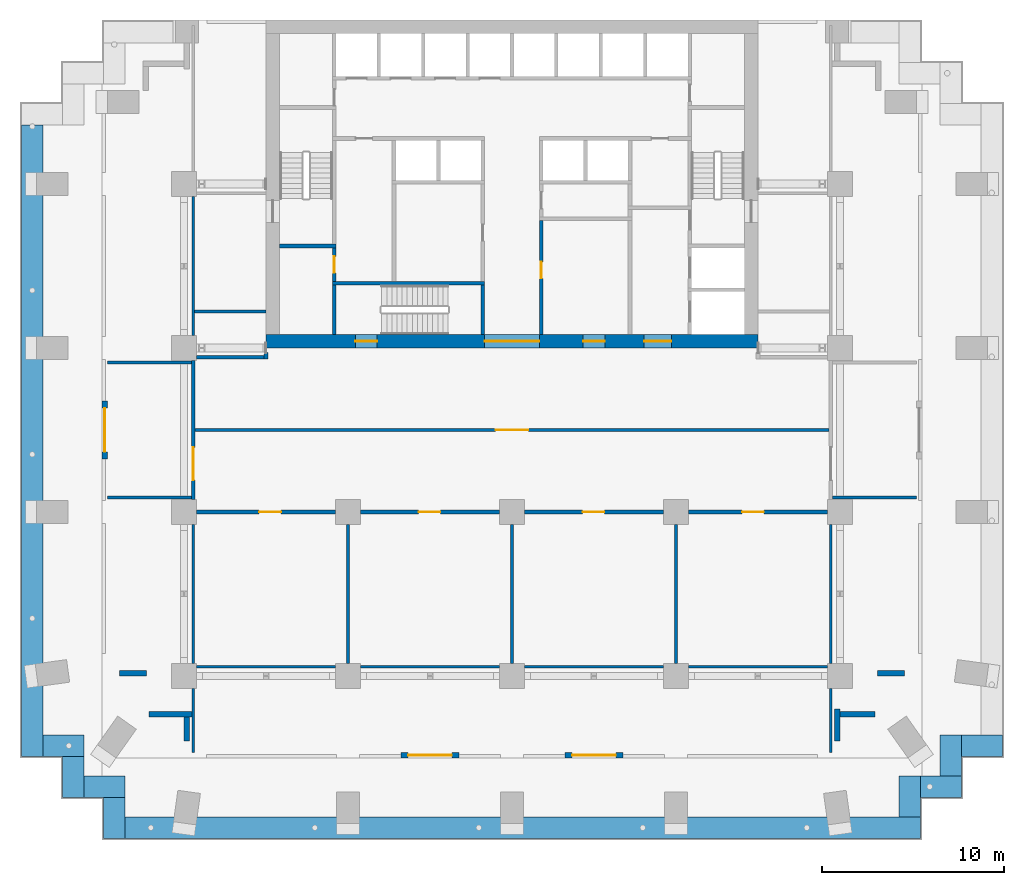
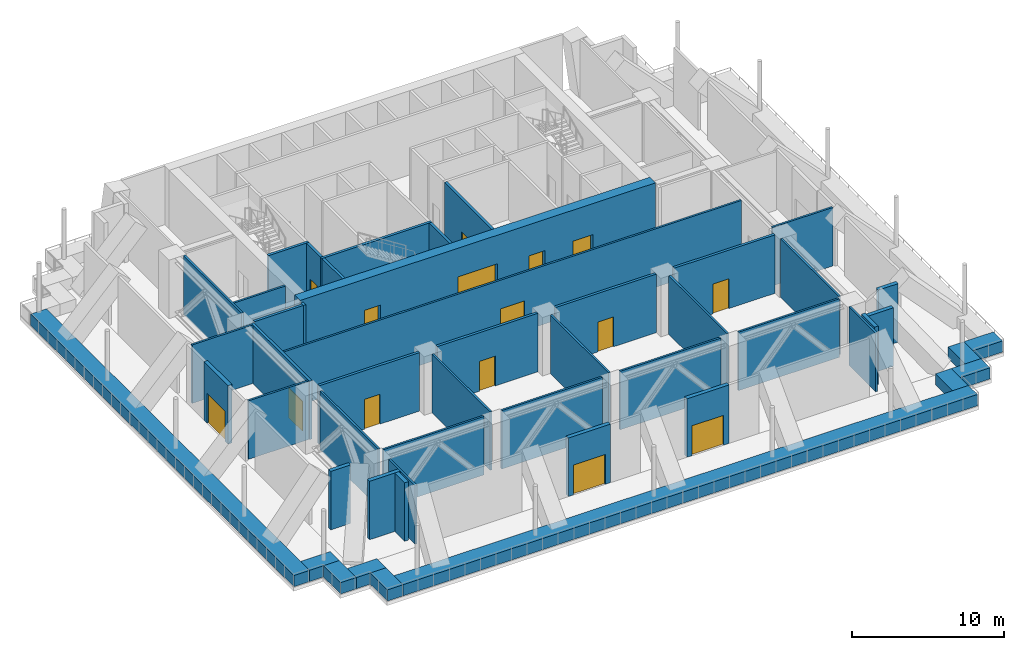
# One storey, part 3 of 9: 50 walls, 15 doors, 15 openings.
"""IFC4 building model written with IfcOpenShell, lengths in metres."""

from ifc_helpers import new_model, si_unit, direction, frame, frame_2d, origin, place, context, subcontext, project, spatial, rectangle, extrude, material, layer, layer_set, type_object, element, fill, save


model = new_model("IFC4")

# Units and contexts
model_context = context("Model", 3, precision=1e-05, world=origin(), true_north=direction((0.0, 1.0)))
body_context = subcontext(model_context, "Body", "Model", "MODEL_VIEW")
ifc_project = project(units=[si_unit("LENGTHUNIT", "METRE"), si_unit("AREAUNIT", "SQUARE_METRE"), si_unit("VOLUMEUNIT", "CUBIC_METRE"), si_unit("PLANEANGLEUNIT", "RADIAN"), si_unit("MASSUNIT", "GRAM", prefix="KILO")], contexts=[model_context])

# Site, building, storey
site_placement = place(None, origin())
site = spatial("IfcSite", under=ifc_project, at=site_placement, CompositionType="ELEMENT")
building_placement = place(site_placement, origin())
building = spatial("IfcBuilding", under=site, at=building_placement, Name="Orbiselva Terraces", CompositionType="ELEMENT")
storey_placement = place(building_placement, frame((0.0, 0.0, 115.0)))
storey = spatial("IfcBuildingStorey", under=building, at=storey_placement, Name="L29", CompositionType="ELEMENT", Elevation=115.0)

# Wall, openings, doors
ifc_material_1 = material(Name="Concrete C80/95", Category="concrete")
ifc_layer_1 = layer(ifc_material_1, 0.75)
ifc_layer_set_1 = layer_set([ifc_layer_1], Name="Concrete C80/95")
wall_type_1 = type_object("IfcWallType", Name="CORE WALL 750", PredefinedType="SHEAR", material=ifc_layer_set_1)
wall_1_placement = place(storey_placement, frame((-13.5, 4.875, -0.3), z_axis=(0.0, 0.0, 1.0), x_axis=(1.0, 0.0, 0.0)))
wall_1 = element("IfcWall", 1, at=wall_1_placement, inside=storey, type_object=wall_type_1, Name="Core wall L29 south", PredefinedType="SHEAR", context=body_context, shape_type="SweptSolid", body=[
    extrude(rectangle(XDim=27.0, YDim=0.75, at=frame_2d((13.5, 0.0))), origin(), (0.0, 0.0, 1.0), 5.0),
])
opening_1_placement = place(wall_1_placement, frame((12.0, 0.0, 0.3)))
opening_1 = element("IfcOpeningElement", 2, at=opening_1_placement, cuts=wall_1, Name="Opening DL3000", PredefinedType="OPENING", context=body_context, shape_type="SweptSolid", body=[
    extrude(rectangle(XDim=3.0, YDim=2.4, at=frame_2d((1.5, 1.2))), frame((0.0, 0.385, 0.0), z_axis=(0.0, -1.0, 0.0), x_axis=(1.0, 0.0, 0.0)), (0.0, 0.0, 1.0), 0.77),
])
opening_2_placement = place(wall_1_placement, frame((4.9, 0.0, 0.3)))
opening_2 = element("IfcOpeningElement", 3, at=opening_2_placement, cuts=wall_1, Name="Opening DS1200", PredefinedType="OPENING", context=body_context, shape_type="SweptSolid", body=[
    extrude(rectangle(XDim=1.2, YDim=2.2, at=frame_2d((0.6, 1.1))), frame((0.0, 0.385, 0.0), z_axis=(0.0, -1.0, 0.0), x_axis=(1.0, 0.0, 0.0)), (0.0, 0.0, 1.0), 0.77),
])
opening_3_placement = place(wall_1_placement, frame((20.75, 0.0, 0.3)))
opening_3 = element("IfcOpeningElement", 4, at=opening_3_placement, cuts=wall_1, Name="Opening DF1500", PredefinedType="OPENING", context=body_context, shape_type="SweptSolid", body=[
    extrude(rectangle(XDim=1.5, YDim=2.2, at=frame_2d((0.75, 1.1))), frame((0.0, 0.385, 0.0), z_axis=(0.0, -1.0, 0.0), x_axis=(1.0, 0.0, 0.0)), (0.0, 0.0, 1.0), 0.77),
])
opening_4_placement = place(wall_1_placement, frame((17.4, 0.0, 0.3)))
opening_4 = element("IfcOpeningElement", 5, at=opening_4_placement, cuts=wall_1, Name="Opening DV1200", PredefinedType="OPENING", context=body_context, shape_type="SweptSolid", body=[
    extrude(rectangle(XDim=1.2, YDim=2.2, at=frame_2d((0.6, 1.1))), frame((0.0, 0.385, 0.0), z_axis=(0.0, -1.0, 0.0), x_axis=(1.0, 0.0, 0.0)), (0.0, 0.0, 1.0), 0.77),
])
ifc_material_2 = material(Name="Steel fire door", Category="steel")
door_type_1 = type_object("IfcDoorType", Name="FFL DOOR 1500", OperationType="DOUBLE_DOOR_SINGLE_SWING", PredefinedType="DOOR", material=ifc_material_2)
door_1_placement = place(opening_3_placement, frame((1.5, 0.0, 0.0), z_axis=(0.0, 0.0, 1.0), x_axis=(-1.0, 0.0, 0.0)))
door_1 = element("IfcDoor", 6, at=door_1_placement, inside=storey, type_object=door_type_1, Name="L29 FIRE-FIGHTING LOBBY door", OperationType="DOUBLE_DOOR_SINGLE_SWING", OverallHeight=2.2, OverallWidth=1.5, PredefinedType="DOOR", context=body_context, shape_type="SweptSolid", body=[
    extrude(rectangle(XDim=1.5, YDim=2.2, at=frame_2d((0.75, 1.1))), frame((0.0, 0.025, 0.0), z_axis=(0.0, -1.0, 0.0), x_axis=(1.0, 0.0, 0.0)), (0.0, 0.0, 1.0), 0.05),
])
fill(opening_3, door_1)
door_type_2 = type_object("IfcDoorType", Name="LOBBY DOOR 3000", OperationType="DOUBLE_DOOR_SINGLE_SWING", PredefinedType="DOOR", material=ifc_material_2)
door_2_placement = place(opening_1_placement, frame((3.0, 0.0, 0.0), z_axis=(0.0, 0.0, 1.0), x_axis=(-1.0, 0.0, 0.0)))
door_2 = element("IfcDoor", 7, at=door_2_placement, inside=storey, type_object=door_type_2, Name="L29 LIFT LOBBY door", OperationType="DOUBLE_DOOR_SINGLE_SWING", OverallHeight=2.4, OverallWidth=3.0, PredefinedType="DOOR", context=body_context, shape_type="SweptSolid", body=[
    extrude(rectangle(XDim=3.0, YDim=2.4, at=frame_2d((1.5, 1.2))), frame((0.0, 0.025, 0.0), z_axis=(0.0, -1.0, 0.0), x_axis=(1.0, 0.0, 0.0)), (0.0, 0.0, 1.0), 0.05),
])
fill(opening_1, door_2)
door_type_3 = type_object("IfcDoorType", Name="SERVICE DOOR 1200", OperationType="NOTDEFINED", PredefinedType="DOOR", material=ifc_material_2)
door_3_placement = place(opening_4_placement, frame((1.2, 0.0, 0.0), z_axis=(0.0, 0.0, 1.0), x_axis=(-1.0, 0.0, 0.0)))
door_3 = element("IfcDoor", 8, at=door_3_placement, inside=storey, type_object=door_type_3, Name="L29 CHILLED WATER PUMP ROOM door", OperationType="SINGLE_SWING_RIGHT", OverallHeight=2.2, OverallWidth=1.2, PredefinedType="DOOR", context=body_context, shape_type="SweptSolid", body=[
    extrude(rectangle(XDim=1.2, YDim=2.2, at=frame_2d((0.6, 1.1))), frame((0.0, 0.025, 0.0), z_axis=(0.0, -1.0, 0.0), x_axis=(1.0, 0.0, 0.0)), (0.0, 0.0, 1.0), 0.05),
])
fill(opening_4, door_3)
door_type_4 = type_object("IfcDoorType", Name="STAIR DOOR 1200", OperationType="NOTDEFINED", PredefinedType="DOOR", material=ifc_material_2)
door_4_placement = place(opening_2_placement, frame((1.2, 0.0, 0.0), z_axis=(0.0, 0.0, 1.0), x_axis=(-1.0, 0.0, 0.0)))
door_4 = element("IfcDoor", 9, at=door_4_placement, inside=storey, type_object=door_type_4, Name="L29 EXIT STAIR S3 door", OperationType="SINGLE_SWING_LEFT", OverallHeight=2.2, OverallWidth=1.2, PredefinedType="DOOR", context=body_context, shape_type="SweptSolid", body=[
    extrude(rectangle(XDim=1.2, YDim=2.2, at=frame_2d((0.6, 1.1))), frame((0.0, 0.025, 0.0), z_axis=(0.0, -1.0, 0.0), x_axis=(1.0, 0.0, 0.0)), (0.0, 0.0, 1.0), 0.05),
])
fill(opening_2, door_4)

# Wall, opening, door
ifc_material_3 = material(Name="Masonry blockwork", Category="masonry")
ifc_layer_2 = layer(ifc_material_3, 0.2)
ifc_layer_set_2 = layer_set([ifc_layer_2], Name="Masonry blockwork")
wall_type_2 = type_object("IfcWallType", Name="CORE-WALL-PARTITION-200", PredefinedType="PARTITIONING", material=ifc_layer_set_2)
wall_2_placement = place(storey_placement, frame((-9.75, 8.15, 0.0), z_axis=(0.0, 0.0, 1.0), x_axis=(0.0, 1.0, 0.0)))
wall_2 = element("IfcWall", 10, at=wall_2_placement, inside=storey, type_object=wall_type_2, Name="L29 core wall 05", PredefinedType="PARTITIONING", context=body_context, shape_type="SweptSolid", body=[
    extrude(rectangle(XDim=1.85, YDim=0.2, at=frame_2d((0.925, 0.0))), origin(), (0.0, 0.0, 1.0), 4.7),
])
opening_5_placement = place(wall_2_placement, frame((0.475, 0.0, 0.0)))
opening_5 = element("IfcOpeningElement", 11, at=opening_5_placement, cuts=wall_2, Name="Opening DR900", PredefinedType="OPENING", context=body_context, shape_type="SweptSolid", body=[
    extrude(rectangle(XDim=0.9, YDim=2.1, at=frame_2d((0.45, 1.05))), frame((0.0, 0.11, 0.0), z_axis=(0.0, -1.0, 0.0), x_axis=(1.0, 0.0, 0.0)), (0.0, 0.0, 1.0), 0.22),
])
door_type_5 = type_object("IfcDoorType", Name="ROOM DOOR 900", OperationType="NOTDEFINED", PredefinedType="DOOR", material=ifc_material_2)
door_5_placement = place(opening_5_placement, origin())
door_5 = element("IfcDoor", 12, at=door_5_placement, inside=storey, type_object=door_type_5, Name="L29 ELECTRICAL SWITCH ROOM door", OperationType="SINGLE_SWING_RIGHT", OverallHeight=2.1, OverallWidth=0.9, PredefinedType="DOOR", context=body_context, shape_type="SweptSolid", body=[
    extrude(rectangle(XDim=0.9, YDim=2.1, at=frame_2d((0.45, 1.05))), frame((0.0, 0.025, 0.0), z_axis=(0.0, -1.0, 0.0), x_axis=(1.0, 0.0, 0.0)), (0.0, 0.0, 1.0), 0.05),
])
fill(opening_5, door_5)

# Walls
ifc_material_4 = material(Name="Concrete C60/75", Category="concrete")
ifc_layer_3 = layer(ifc_material_4, 0.2)
ifc_layer_set_3 = layer_set([ifc_layer_3], Name="Concrete C60/75")
wall_type_3 = type_object("IfcWallType", Name="CORE-WALL-SHEAR-200", PredefinedType="SHEAR", material=ifc_layer_set_3)
wall_3_placement = place(storey_placement, frame((-12.75, 10.1, 0.0), z_axis=(0.0, 0.0, 1.0), x_axis=(1.0, 0.0, 0.0)))
element("IfcWall", 13, at=wall_3_placement, inside=storey, type_object=wall_type_3, Name="L29 core wall 01", PredefinedType="SHEAR", context=body_context, shape_type="SweptSolid", body=[
    extrude(rectangle(XDim=3.1, YDim=0.2, at=frame_2d((1.55, 0.0))), origin(), (0.0, 0.0, 1.0), 4.7),
])
wall_4_placement = place(storey_placement, frame((-9.75, 5.25, 0.0), z_axis=(0.0, 0.0, 1.0), x_axis=(0.0, 1.0, 0.0)))
element("IfcWall", 14, at=wall_4_placement, inside=storey, type_object=wall_type_3, Name="L29 core wall 03", PredefinedType="SHEAR", context=body_context, shape_type="SweptSolid", body=[
    extrude(rectangle(XDim=2.7, YDim=0.2, at=frame_2d((1.35, 0.0))), origin(), (0.0, 0.0, 1.0), 4.7),
])
wall_5_placement = place(storey_placement, frame((-9.85, 8.05, 0.0), z_axis=(0.0, 0.0, 1.0), x_axis=(1.0, 0.0, 0.0)))
element("IfcWall", 15, at=wall_5_placement, inside=storey, type_object=wall_type_3, Name="L29 core wall 04", PredefinedType="SHEAR", context=body_context, shape_type="SweptSolid", body=[
    extrude(rectangle(XDim=8.35, YDim=0.2, at=frame_2d((4.175, 0.0))), origin(), (0.0, 0.0, 1.0), 4.7),
])
wall_6_placement = place(storey_placement, frame((-1.6, 5.25, 0.0), z_axis=(0.0, 0.0, 1.0), x_axis=(0.0, 1.0, 0.0)))
element("IfcWall", 16, at=wall_6_placement, inside=storey, type_object=wall_type_3, Name="L29 core wall 19", PredefinedType="SHEAR", context=body_context, shape_type="SweptSolid", body=[
    extrude(rectangle(XDim=2.7, YDim=0.2, at=frame_2d((1.35, 0.0))), origin(), (0.0, 0.0, 1.0), 4.7),
])

# Wall, opening, door
wall_7_placement = place(storey_placement, frame((1.6, 11.5, 0.0), z_axis=(0.0, 0.0, 1.0), x_axis=(0.0, -1.0, 0.0)))
wall_7 = element("IfcWall", 17, at=wall_7_placement, inside=storey, type_object=wall_type_3, Name="L29 core wall 23", PredefinedType="SHEAR", context=body_context, shape_type="SweptSolid", body=[
    extrude(rectangle(XDim=6.25, YDim=0.2, at=frame_2d((3.125, 0.0))), origin(), (0.0, 0.0, 1.0), 4.7),
])
opening_6_placement = place(wall_7_placement, frame((2.275, 0.0, 0.0)))
opening_6 = element("IfcOpeningElement", 18, at=opening_6_placement, cuts=wall_7, Name="Opening DR900", PredefinedType="OPENING", context=body_context, shape_type="SweptSolid", body=[
    extrude(rectangle(XDim=0.9, YDim=2.1, at=frame_2d((0.45, 1.05))), frame((0.0, 0.11, 0.0), z_axis=(0.0, -1.0, 0.0), x_axis=(1.0, 0.0, 0.0)), (0.0, 0.0, 1.0), 0.22),
])
door_6_placement = place(opening_6_placement, origin())
door_6 = element("IfcDoor", 19, at=door_6_placement, inside=storey, type_object=door_type_5, Name="L29 CHILLED WATER PUMP ROOM door", OperationType="SINGLE_SWING_LEFT", OverallHeight=2.1, OverallWidth=0.9, PredefinedType="DOOR", context=body_context, shape_type="SweptSolid", body=[
    extrude(rectangle(XDim=0.9, YDim=2.1, at=frame_2d((0.45, 1.05))), frame((0.0, 0.025, 0.0), z_axis=(0.0, -1.0, 0.0), x_axis=(1.0, 0.0, 0.0)), (0.0, 0.0, 1.0), 0.05),
])
fill(opening_6, door_6)

# Walls
ifc_material_5 = material(Name="Concrete C40/50", Category="concrete")
ifc_layer_4 = layer(ifc_material_5, 1.2)
ifc_layer_set_4 = layer_set([ifc_layer_4], Name="Concrete C40/50")
wall_type_4 = type_object("IfcWallType", Name="ENV-GARDEN-BED-1200x900", PredefinedType="USERDEFINED", material=ifc_layer_set_4)
wall_8_placement = place(storey_placement, frame((-26.33, 16.73, 0.0), z_axis=(0.0, 0.0, 1.0), x_axis=(0.0, -1.0, 0.0)))
element("IfcWall", 20, at=wall_8_placement, inside=storey, type_object=wall_type_4, Name="Planter bed L29 ring", ObjectType="PLANTER", PredefinedType="USERDEFINED", context=body_context, shape_type="SweptSolid", body=[
    extrude(rectangle(XDim=34.66, YDim=1.2, at=frame_2d((17.33, 0.0))), origin(), (0.0, 0.0, 1.0), 0.9),
])
for number, where, z_axis, x_axis, name in (
    (21, (-25.73, -17.33, 0.0), (0.0, 0.0, 1.0), (1.0, 0.0, 0.0), "Planter bed L29 ring"),
    (22, (-24.08, -17.93, 0.0), (0.0, 0.0, 1.0), (0.0, -1.0, 0.0), "Planter bed L29 ring"),
    (23, (-23.48, -19.58, 0.0), (0.0, 0.0, 1.0), (1.0, 0.0, 0.0), "Planter bed L29 ring"),
    (24, (-21.83, -20.18, 0.0), (0.0, 0.0, 1.0), (0.0, -1.0, 0.0), "Planter bed L29 ring"),
):
    element("IfcWall", number, at=place(storey_placement, frame(where, z_axis=z_axis, x_axis=x_axis)), inside=storey, type_object=wall_type_4, Name=name, ObjectType="PLANTER", PredefinedType="USERDEFINED", context=body_context, shape_type="SweptSolid", body=[
        extrude(rectangle(XDim=2.25, YDim=1.2, at=frame_2d((1.125, 0.0))), origin(), (0.0, 0.0, 1.0), 0.9),
    ])
wall_9_placement = place(storey_placement, frame((-21.23, -21.83, 0.0), z_axis=(0.0, 0.0, 1.0), x_axis=(1.0, 0.0, 0.0)))
element("IfcWall", 25, at=wall_9_placement, inside=storey, type_object=wall_type_4, Name="Planter bed L29 ring", ObjectType="PLANTER", PredefinedType="USERDEFINED", context=body_context, shape_type="SweptSolid", body=[
    extrude(rectangle(XDim=43.66, YDim=1.2, at=frame_2d((21.83, 0.0))), origin(), (0.0, 0.0, 1.0), 0.9),
])
for number, where, z_axis, x_axis, name in (
    (26, (21.83, -21.23, 0.0), (0.0, 0.0, 1.0), (0.0, 1.0, 0.0), "Planter bed L29 ring"),
    (27, (22.43, -19.58, 0.0), (0.0, 0.0, 1.0), (1.0, 0.0, 0.0), "Planter bed L29 ring"),
    (28, (24.08, -18.98, 0.0), (0.0, 0.0, 1.0), (0.0, 1.0, 0.0), "Planter bed L29 ring"),
    (29, (24.68, -17.33, 0.0), (0.0, 0.0, 1.0), (1.0, 0.0, 0.0), "Planter bed L29 ring"),
):
    element("IfcWall", number, at=place(storey_placement, frame(where, z_axis=z_axis, x_axis=x_axis)), inside=storey, type_object=wall_type_4, Name=name, ObjectType="PLANTER", PredefinedType="USERDEFINED", context=body_context, shape_type="SweptSolid", body=[
        extrude(rectangle(XDim=2.25, YDim=1.2, at=frame_2d((1.125, 0.0))), origin(), (0.0, 0.0, 1.0), 0.9),
    ])

# Wall, opening, door
ifc_material_6 = material(Name="Terracotta cladding on masonry backing", Category="masonry")
ifc_layer_5 = layer(ifc_material_6, 0.3)
ifc_layer_set_5 = layer_set([ifc_layer_5], Name="Terracotta cladding on masonry backing")
wall_type_5 = type_object("IfcWallType", Name="ENV-WALL-TERRACOTTA-300", PredefinedType="SOLIDWALL", material=ifc_layer_set_5)
wall_10_placement = place(storey_placement, frame((-2.9, -17.85, 0.0), z_axis=(0.0, 0.0, 1.0), x_axis=(-1.0, 0.0, 0.0)))
wall_10 = element("IfcWall", 30, at=wall_10_placement, inside=storey, type_object=wall_type_5, Name="Facade wall L29 S", PredefinedType="SOLIDWALL", context=body_context, shape_type="SweptSolid", body=[
    extrude(rectangle(XDim=3.2, YDim=0.3, at=frame_2d((1.6, 0.0))), origin(), (0.0, 0.0, 1.0), 4.7),
])
opening_7_placement = place(wall_10_placement, frame((0.4, 0.0, 0.0)))
opening_7 = element("IfcOpeningElement", 31, at=opening_7_placement, cuts=wall_10, Name="Opening PLANT-R1-E01", PredefinedType="OPENING", context=body_context, shape_type="SweptSolid", body=[
    extrude(rectangle(XDim=2.4, YDim=2.4, at=frame_2d((1.2, 1.2))), frame((0.0, 0.16, 0.0), z_axis=(0.0, -1.0, 0.0), x_axis=(1.0, 0.0, 0.0)), (0.0, 0.0, 1.0), 0.32),
])
ifc_material_7 = material(Name="Clear low-e glazing in aluminium frame", Category="aluminium")
door_type_6 = type_object("IfcDoorType", Name="TERRACE DOOR 2400 X 2400", OperationType="DOUBLE_DOOR_SINGLE_SWING", PredefinedType="DOOR", material=ifc_material_7)
door_7_placement = place(opening_7_placement, origin())
door_7 = element("IfcDoor", 32, at=door_7_placement, inside=storey, type_object=door_type_6, Name="PLANT-R1-E01", OperationType="SINGLE_SWING_LEFT", OverallHeight=2.4, OverallWidth=2.4, PredefinedType="DOOR", context=body_context, shape_type="SweptSolid", body=[
    extrude(rectangle(XDim=2.4, YDim=2.4, at=frame_2d((1.2, 1.2))), frame((0.0, 0.025, 0.0), z_axis=(0.0, -1.0, 0.0), x_axis=(1.0, 0.0, 0.0)), (0.0, 0.0, 1.0), 0.05),
])
fill(opening_7, door_7)

wall_11_placement = place(storey_placement, frame((6.1, -17.85, 0.0), z_axis=(0.0, 0.0, 1.0), x_axis=(-1.0, 0.0, 0.0)))
wall_11 = element("IfcWall", 33, at=wall_11_placement, inside=storey, type_object=wall_type_5, Name="Facade wall L29 S", PredefinedType="SOLIDWALL", context=body_context, shape_type="SweptSolid", body=[
    extrude(rectangle(XDim=3.2, YDim=0.3, at=frame_2d((1.6, 0.0))), origin(), (0.0, 0.0, 1.0), 4.7),
])
opening_8_placement = place(wall_11_placement, frame((0.4, 0.0, 0.0)))
opening_8 = element("IfcOpeningElement", 34, at=opening_8_placement, cuts=wall_11, Name="Opening PLANT-R1-E02", PredefinedType="OPENING", context=body_context, shape_type="SweptSolid", body=[
    extrude(rectangle(XDim=2.4, YDim=2.4, at=frame_2d((1.2, 1.2))), frame((0.0, 0.16, 0.0), z_axis=(0.0, -1.0, 0.0), x_axis=(1.0, 0.0, 0.0)), (0.0, 0.0, 1.0), 0.32),
])
door_8_placement = place(opening_8_placement, origin())
door_8 = element("IfcDoor", 35, at=door_8_placement, inside=storey, type_object=door_type_6, Name="PLANT-R1-E02", OperationType="SINGLE_SWING_LEFT", OverallHeight=2.4, OverallWidth=2.4, PredefinedType="DOOR", context=body_context, shape_type="SweptSolid", body=[
    extrude(rectangle(XDim=2.4, YDim=2.4, at=frame_2d((1.2, 1.2))), frame((0.0, 0.025, 0.0), z_axis=(0.0, -1.0, 0.0), x_axis=(1.0, 0.0, 0.0)), (0.0, 0.0, 1.0), 0.05),
])
fill(opening_8, door_8)

# Walls
wall_12_placement = place(storey_placement, frame((17.85, -15.325, 0.0), z_axis=(0.0, 0.0, 1.0), x_axis=(0.0, -1.0, 0.0)))
element("IfcWall", 36, at=wall_12_placement, inside=storey, type_object=wall_type_5, Name="Facade wall L29 STEP", PredefinedType="SOLIDWALL", context=body_context, shape_type="SweptSolid", body=[
    extrude(rectangle(XDim=1.730442, YDim=0.3, at=frame_2d((0.865221, 0.0))), origin(), (0.0, 0.0, 1.0), 4.7),
])
wall_13_placement = place(storey_placement, frame((19.917188, -15.6, 0.0), z_axis=(0.0, 0.0, 1.0), x_axis=(-1.0, 0.0, 0.0)))
element("IfcWall", 37, at=wall_13_placement, inside=storey, type_object=wall_type_5, Name="Facade wall L29 STEP", PredefinedType="SOLIDWALL", context=body_context, shape_type="SweptSolid", body=[
    extrude(rectangle(XDim=1.917188, YDim=0.3, at=frame_2d((0.958594, 0.0))), origin(), (0.0, 0.0, 1.0), 4.7),
])
wall_14_placement = place(storey_placement, frame((21.555442, -13.35, 0.0), z_axis=(0.0, 0.0, 1.0), x_axis=(-1.0, 0.0, 0.0)))
element("IfcWall", 38, at=wall_14_placement, inside=storey, type_object=wall_type_5, Name="Facade wall L29 STEP", PredefinedType="SOLIDWALL", context=body_context, shape_type="SweptSolid", body=[
    extrude(rectangle(XDim=1.491688, YDim=0.3, at=frame_2d((0.745844, 0.0))), origin(), (0.0, 0.0, 1.0), 4.7),
])

# Wall, opening, door
wall_15_placement = place(storey_placement, frame((-22.35, -1.6, 0.0), z_axis=(0.0, 0.0, 1.0), x_axis=(0.0, 1.0, 0.0)))
wall_15 = element("IfcWall", 39, at=wall_15_placement, inside=storey, type_object=wall_type_5, Name="Facade wall L29 W", PredefinedType="SOLIDWALL", context=body_context, shape_type="SweptSolid", body=[
    extrude(rectangle(XDim=3.2, YDim=0.3, at=frame_2d((1.6, 0.0))), origin(), (0.0, 0.0, 1.0), 4.7),
])
opening_9_placement = place(wall_15_placement, frame((0.4, 0.0, 0.0)))
opening_9 = element("IfcOpeningElement", 40, at=opening_9_placement, cuts=wall_15, Name="Opening PLANT-R1-E04", PredefinedType="OPENING", context=body_context, shape_type="SweptSolid", body=[
    extrude(rectangle(XDim=2.4, YDim=2.4, at=frame_2d((1.2, 1.2))), frame((0.0, 0.16, 0.0), z_axis=(0.0, -1.0, 0.0), x_axis=(1.0, 0.0, 0.0)), (0.0, 0.0, 1.0), 0.32),
])
door_9_placement = place(opening_9_placement, origin())
door_9 = element("IfcDoor", 41, at=door_9_placement, inside=storey, type_object=door_type_6, Name="PLANT-R1-E04", OperationType="SINGLE_SWING_LEFT", OverallHeight=2.4, OverallWidth=2.4, PredefinedType="DOOR", context=body_context, shape_type="SweptSolid", body=[
    extrude(rectangle(XDim=2.4, YDim=2.4, at=frame_2d((1.2, 1.2))), frame((0.0, 0.025, 0.0), z_axis=(0.0, -1.0, 0.0), x_axis=(1.0, 0.0, 0.0)), (0.0, 0.0, 1.0), 0.05),
])
fill(opening_9, door_9)

# Walls
wall_16_placement = place(storey_placement, frame((-20.063754, -13.35, 0.0), z_axis=(0.0, 0.0, 1.0), x_axis=(-1.0, 0.0, 0.0)))
element("IfcWall", 42, at=wall_16_placement, inside=storey, type_object=wall_type_5, Name="Facade wall L29 STEP", PredefinedType="SOLIDWALL", context=body_context, shape_type="SweptSolid", body=[
    extrude(rectangle(XDim=1.491688, YDim=0.3, at=frame_2d((0.745844, 0.0))), origin(), (0.0, 0.0, 1.0), 4.7),
])
wall_17_placement = place(storey_placement, frame((-17.575, -15.6, 0.0), z_axis=(0.0, 0.0, 1.0), x_axis=(-1.0, 0.0, 0.0)))
element("IfcWall", 43, at=wall_17_placement, inside=storey, type_object=wall_type_5, Name="Facade wall L29 STEP", PredefinedType="SOLIDWALL", context=body_context, shape_type="SweptSolid", body=[
    extrude(rectangle(XDim=2.342188, YDim=0.3, at=frame_2d((1.171094, 0.0))), origin(), (0.0, 0.0, 1.0), 4.7),
])
wall_18_placement = place(storey_placement, frame((-17.85, -17.055442, 0.0), z_axis=(0.0, 0.0, 1.0), x_axis=(0.0, 1.0, 0.0)))
element("IfcWall", 44, at=wall_18_placement, inside=storey, type_object=wall_type_5, Name="Facade wall L29 STEP", PredefinedType="SOLIDWALL", context=body_context, shape_type="SweptSolid", body=[
    extrude(rectangle(XDim=1.305442, YDim=0.3, at=frame_2d((0.652721, 0.0))), origin(), (0.0, 0.0, 1.0), 4.7),
])

# Wall, opening, door
ifc_material_8 = material(Name="Plasterboard on steel stud partition", Category="steel")
ifc_layer_6 = layer(ifc_material_8, 0.2)
ifc_layer_set_6 = layer_set([ifc_layer_6], Name="Plasterboard on steel stud partition")
wall_type_6 = type_object("IfcWallType", Name="UNIT-ENTRANCE-WALL-200", PredefinedType="PARTITIONING", material=ifc_layer_set_6)
wall_19_placement = place(storey_placement, frame((-9.675, -4.5, 0.0), z_axis=(0.0, 0.0, 1.0), x_axis=(-1.0, 0.0, 0.0)))
wall_19 = element("IfcWall", 45, at=wall_19_placement, inside=storey, type_object=wall_type_6, Name="PARTITION L29-005", PredefinedType="PARTITIONING", context=body_context, shape_type="SweptSolid", body=[
    extrude(rectangle(XDim=7.65, YDim=0.2, at=frame_2d((3.825, 0.0))), origin(), (0.0, 0.0, 1.0), 4.7),
])
opening_10_placement = place(wall_19_placement, frame((3.0, 0.0, 0.0)))
opening_10 = element("IfcOpeningElement", 46, at=opening_10_placement, cuts=wall_19, Name="Opening PLANT-R1-04", PredefinedType="OPENING", context=body_context, shape_type="SweptSolid", body=[
    extrude(rectangle(XDim=1.2, YDim=2.4, at=frame_2d((0.6, 1.2))), frame((0.0, 0.11, 0.0), z_axis=(0.0, -1.0, 0.0), x_axis=(1.0, 0.0, 0.0)), (0.0, 0.0, 1.0), 0.22),
])
ifc_material_9 = material(Name="Painted timber door leaf", Category="wood")
door_type_7 = type_object("IfcDoorType", Name="PLANT DOOR 1200", OperationType="NOTDEFINED", PredefinedType="DOOR", material=ifc_material_9)
door_10_placement = place(opening_10_placement, origin())
door_10 = element("IfcDoor", 47, at=door_10_placement, inside=storey, type_object=door_type_7, Name="PLANT-R1-04", OperationType="SINGLE_SWING_LEFT", OverallHeight=2.4, OverallWidth=1.2, PredefinedType="DOOR", context=body_context, shape_type="SweptSolid", body=[
    extrude(rectangle(XDim=1.2, YDim=2.4, at=frame_2d((0.6, 1.2))), frame((0.0, 0.025, 0.0), z_axis=(0.0, -1.0, 0.0), x_axis=(1.0, 0.0, 0.0)), (0.0, 0.0, 1.0), 0.05),
])
fill(opening_10, door_10)

wall_20_placement = place(storey_placement, frame((-0.675, -4.5, 0.0), z_axis=(0.0, 0.0, 1.0), x_axis=(-1.0, 0.0, 0.0)))
wall_20 = element("IfcWall", 48, at=wall_20_placement, inside=storey, type_object=wall_type_6, Name="PARTITION L29-006", PredefinedType="PARTITIONING", context=body_context, shape_type="SweptSolid", body=[
    extrude(rectangle(XDim=7.65, YDim=0.2, at=frame_2d((3.825, 0.0))), origin(), (0.0, 0.0, 1.0), 4.7),
])
opening_11_placement = place(wall_20_placement, frame((3.25, 0.0, 0.0)))
opening_11 = element("IfcOpeningElement", 49, at=opening_11_placement, cuts=wall_20, Name="Opening PLANT-R1-05", PredefinedType="OPENING", context=body_context, shape_type="SweptSolid", body=[
    extrude(rectangle(XDim=1.2, YDim=2.4, at=frame_2d((0.6, 1.2))), frame((0.0, 0.11, 0.0), z_axis=(0.0, -1.0, 0.0), x_axis=(1.0, 0.0, 0.0)), (0.0, 0.0, 1.0), 0.22),
])
door_11_placement = place(opening_11_placement, origin())
door_11 = element("IfcDoor", 50, at=door_11_placement, inside=storey, type_object=door_type_7, Name="PLANT-R1-05", OperationType="SINGLE_SWING_RIGHT", OverallHeight=2.4, OverallWidth=1.2, PredefinedType="DOOR", context=body_context, shape_type="SweptSolid", body=[
    extrude(rectangle(XDim=1.2, YDim=2.4, at=frame_2d((0.6, 1.2))), frame((0.0, 0.025, 0.0), z_axis=(0.0, -1.0, 0.0), x_axis=(1.0, 0.0, 0.0)), (0.0, 0.0, 1.0), 0.05),
])
fill(opening_11, door_11)

wall_21_placement = place(storey_placement, frame((8.325, -4.5, 0.0), z_axis=(0.0, 0.0, 1.0), x_axis=(-1.0, 0.0, 0.0)))
wall_21 = element("IfcWall", 51, at=wall_21_placement, inside=storey, type_object=wall_type_6, Name="PARTITION L29-007", PredefinedType="PARTITIONING", context=body_context, shape_type="SweptSolid", body=[
    extrude(rectangle(XDim=7.65, YDim=0.2, at=frame_2d((3.825, 0.0))), origin(), (0.0, 0.0, 1.0), 4.7),
])
opening_12_placement = place(wall_21_placement, frame((3.25, 0.0, 0.0)))
opening_12 = element("IfcOpeningElement", 52, at=opening_12_placement, cuts=wall_21, Name="Opening PLANT-R1-06", PredefinedType="OPENING", context=body_context, shape_type="SweptSolid", body=[
    extrude(rectangle(XDim=1.2, YDim=2.4, at=frame_2d((0.6, 1.2))), frame((0.0, 0.11, 0.0), z_axis=(0.0, -1.0, 0.0), x_axis=(1.0, 0.0, 0.0)), (0.0, 0.0, 1.0), 0.22),
])
door_12_placement = place(opening_12_placement, origin())
door_12 = element("IfcDoor", 53, at=door_12_placement, inside=storey, type_object=door_type_7, Name="PLANT-R1-06", OperationType="SINGLE_SWING_RIGHT", OverallHeight=2.4, OverallWidth=1.2, PredefinedType="DOOR", context=body_context, shape_type="SweptSolid", body=[
    extrude(rectangle(XDim=1.2, YDim=2.4, at=frame_2d((0.6, 1.2))), frame((0.0, 0.025, 0.0), z_axis=(0.0, -1.0, 0.0), x_axis=(1.0, 0.0, 0.0)), (0.0, 0.0, 1.0), 0.05),
])
fill(opening_12, door_12)

wall_22_placement = place(storey_placement, frame((17.325, -4.5, 0.0), z_axis=(0.0, 0.0, 1.0), x_axis=(-1.0, 0.0, 0.0)))
wall_22 = element("IfcWall", 54, at=wall_22_placement, inside=storey, type_object=wall_type_6, Name="PARTITION L29-008", PredefinedType="PARTITIONING", context=body_context, shape_type="SweptSolid", body=[
    extrude(rectangle(XDim=7.65, YDim=0.2, at=frame_2d((3.825, 0.0))), origin(), (0.0, 0.0, 1.0), 4.7),
])
opening_13_placement = place(wall_22_placement, frame((3.5, 0.0, 0.0)))
opening_13 = element("IfcOpeningElement", 55, at=opening_13_placement, cuts=wall_22, Name="Opening PLANT-R1-07", PredefinedType="OPENING", context=body_context, shape_type="SweptSolid", body=[
    extrude(rectangle(XDim=1.2, YDim=2.4, at=frame_2d((0.6, 1.2))), frame((0.0, 0.11, 0.0), z_axis=(0.0, -1.0, 0.0), x_axis=(1.0, 0.0, 0.0)), (0.0, 0.0, 1.0), 0.22),
])
door_13_placement = place(opening_13_placement, origin())
door_13 = element("IfcDoor", 56, at=door_13_placement, inside=storey, type_object=door_type_7, Name="PLANT-R1-07", OperationType="SINGLE_SWING_RIGHT", OverallHeight=2.4, OverallWidth=1.2, PredefinedType="DOOR", context=body_context, shape_type="SweptSolid", body=[
    extrude(rectangle(XDim=1.2, YDim=2.4, at=frame_2d((0.6, 1.2))), frame((0.0, 0.025, 0.0), z_axis=(0.0, -1.0, 0.0), x_axis=(1.0, 0.0, 0.0)), (0.0, 0.0, 1.0), 0.05),
])
fill(opening_13, door_13)

# Wall
wall_23_placement = place(storey_placement, frame((-17.325, 4.0, 0.0), z_axis=(0.0, 0.0, 1.0), x_axis=(1.0, 0.0, 0.0)))
element("IfcWall", 57, at=wall_23_placement, inside=storey, type_object=wall_type_6, Name="PARTITION L29-014", PredefinedType="PARTITIONING", context=body_context, shape_type="SweptSolid", body=[
    extrude(rectangle(XDim=3.725, YDim=0.2, at=frame_2d((1.8625, 0.0))), origin(), (0.0, 0.0, 1.0), 4.7),
])

# Wall, opening, door
wall_24_placement = place(storey_placement, frame((-17.5, 3.825, 0.0), z_axis=(0.0, 0.0, 1.0), x_axis=(0.0, -1.0, 0.0)))
wall_24 = element("IfcWall", 58, at=wall_24_placement, inside=storey, type_object=wall_type_6, Name="PARTITION L29-020", PredefinedType="PARTITIONING", context=body_context, shape_type="SweptSolid", body=[
    extrude(rectangle(XDim=7.65, YDim=0.2, at=frame_2d((3.825, 0.0))), origin(), (0.0, 0.0, 1.0), 4.7),
])
opening_14_placement = place(wall_24_placement, frame((4.78, 0.0, 0.0)))
opening_14 = element("IfcOpeningElement", 59, at=opening_14_placement, cuts=wall_24, Name="Opening PLANT-R1-02", PredefinedType="OPENING", context=body_context, shape_type="SweptSolid", body=[
    extrude(rectangle(XDim=1.8, YDim=2.4, at=frame_2d((0.9, 1.2))), frame((0.0, 0.11, 0.0), z_axis=(0.0, -1.0, 0.0), x_axis=(1.0, 0.0, 0.0)), (0.0, 0.0, 1.0), 0.22),
])
door_type_8 = type_object("IfcDoorType", Name="DOUBLE DOOR 1800", OperationType="NOTDEFINED", PredefinedType="DOOR", material=ifc_material_9)
door_14_placement = place(opening_14_placement, origin())
door_14 = element("IfcDoor", 60, at=door_14_placement, inside=storey, type_object=door_type_8, Name="PLANT-R1-02", OperationType="DOUBLE_DOOR_SINGLE_SWING", OverallHeight=2.4, OverallWidth=1.8, PredefinedType="DOOR", context=body_context, shape_type="SweptSolid", body=[
    extrude(rectangle(XDim=1.8, YDim=2.4, at=frame_2d((0.9, 1.2))), frame((0.0, 0.025, 0.0), z_axis=(0.0, -1.0, 0.0), x_axis=(1.0, 0.0, 0.0)), (0.0, 0.0, 1.0), 0.05),
])
fill(opening_14, door_14)

# Walls
wall_25_placement = place(storey_placement, frame((-13.5, 3.9, 0.0), z_axis=(0.0, 0.0, 1.0), x_axis=(0.0, 1.0, 0.0)))
element("IfcWall", 61, at=wall_25_placement, inside=storey, type_object=wall_type_6, Name="PARTITION L29-025", PredefinedType="PARTITIONING", context=body_context, shape_type="SweptSolid", body=[
    extrude(rectangle(XDim=0.35, YDim=0.2, at=frame_2d((0.175, 0.0))), origin(), (0.0, 0.0, 1.0), 4.7),
])
ifc_layer_7 = layer(ifc_material_8, 0.15)
ifc_layer_set_7 = layer_set([ifc_layer_7], Name="Plasterboard on steel stud partition")
wall_type_7 = type_object("IfcWallType", Name="UNIT-PARTITION-150", PredefinedType="PARTITIONING", material=ifc_layer_set_7)
for number, where, z_axis, x_axis, name in (
    (62, (-17.325, -13.0, 0.0), (0.0, 0.0, 1.0), (1.0, 0.0, 0.0), "PARTITION L29-001"),
    (63, (-8.325, -13.0, 0.0), (0.0, 0.0, 1.0), (1.0, 0.0, 0.0), "PARTITION L29-002"),
    (64, (0.675, -13.0, 0.0), (0.0, 0.0, 1.0), (1.0, 0.0, 0.0), "PARTITION L29-003"),
    (65, (9.675, -13.0, 0.0), (0.0, 0.0, 1.0), (1.0, 0.0, 0.0), "PARTITION L29-004"),
):
    element("IfcWall", number, at=place(storey_placement, frame(where, z_axis=z_axis, x_axis=x_axis)), inside=storey, type_object=wall_type_7, Name=name, PredefinedType="PARTITIONING", context=body_context, shape_type="SweptSolid", body=[
        extrude(rectangle(XDim=7.65, YDim=0.15, at=frame_2d((3.825, 0.0))), origin(), (0.0, 0.0, 1.0), 4.7),
    ])
for number, where, z_axis, x_axis, name in (
    (66, (-22.2, -3.705, 0.0), (0.0, 0.0, 1.0), (1.0, 0.0, 0.0), "PARTITION L29-009"),
    (67, (17.6, -3.705, 0.0), (0.0, 0.0, 1.0), (1.0, 0.0, 0.0), "PARTITION L29-010"),
    (68, (-22.2, 3.705, 0.0), (0.0, 0.0, 1.0), (1.0, 0.0, 0.0), "PARTITION L29-012"),
):
    element("IfcWall", number, at=place(storey_placement, frame(where, z_axis=z_axis, x_axis=x_axis)), inside=storey, type_object=wall_type_7, Name=name, PredefinedType="PARTITIONING", context=body_context, shape_type="SweptSolid", body=[
        extrude(rectangle(XDim=4.6, YDim=0.15, at=frame_2d((2.3, 0.0))), origin(), (0.0, 0.0, 1.0), 4.7),
    ])
wall_26_placement = place(storey_placement, frame((-17.425, 6.5, 0.0), z_axis=(0.0, 0.0, 1.0), x_axis=(1.0, 0.0, 0.0)))
element("IfcWall", 69, at=wall_26_placement, inside=storey, type_object=wall_type_7, Name="PARTITION L29-016", PredefinedType="PARTITIONING", context=body_context, shape_type="SweptSolid", body=[
    extrude(rectangle(XDim=3.925, YDim=0.15, at=frame_2d((1.9625, 0.0))), origin(), (0.0, 0.0, 1.0), 4.7),
])
wall_27_placement = place(storey_placement, frame((-17.5, -17.7, 0.0), z_axis=(0.0, 0.0, 1.0), x_axis=(0.0, 1.0, 0.0)))
element("IfcWall", 70, at=wall_27_placement, inside=storey, type_object=wall_type_7, Name="PARTITION L29-021", PredefinedType="PARTITIONING", context=body_context, shape_type="SweptSolid", body=[
    extrude(rectangle(XDim=3.525, YDim=0.15, at=frame_2d((1.7625, 0.0))), origin(), (0.0, 0.0, 1.0), 4.7),
])
for number, where, z_axis, x_axis, name in (
    (71, (-17.5, -12.825, 0.0), (0.0, 0.0, 1.0), (0.0, 1.0, 0.0), "PARTITION L29-022"),
    (72, (-17.5, 5.175, 0.0), (0.0, 0.0, 1.0), (0.0, 1.0, 0.0), "PARTITION L29-023"),
    (73, (-9.0, -12.825, 0.0), (0.0, 0.0, 1.0), (0.0, 1.0, 0.0), "PARTITION L29-026"),
    (74, (0.0, -12.825, 0.0), (0.0, 0.0, 1.0), (0.0, 1.0, 0.0), "PARTITION L29-027"),
    (75, (9.0, -12.825, 0.0), (0.0, 0.0, 1.0), (0.0, 1.0, 0.0), "PARTITION L29-028"),
):
    element("IfcWall", number, at=place(storey_placement, frame(where, z_axis=z_axis, x_axis=x_axis)), inside=storey, type_object=wall_type_7, Name=name, PredefinedType="PARTITIONING", context=body_context, shape_type="SweptSolid", body=[
        extrude(rectangle(XDim=7.65, YDim=0.15, at=frame_2d((3.825, 0.0))), origin(), (0.0, 0.0, 1.0), 4.7),
    ])
wall_28_placement = place(storey_placement, frame((17.5, -17.7, 0.0), z_axis=(0.0, 0.0, 1.0), x_axis=(0.0, 1.0, 0.0)))
element("IfcWall", 76, at=wall_28_placement, inside=storey, type_object=wall_type_7, Name="PARTITION L29-031", PredefinedType="PARTITIONING", context=body_context, shape_type="SweptSolid", body=[
    extrude(rectangle(XDim=3.525, YDim=0.15, at=frame_2d((1.7625, 0.0))), origin(), (0.0, 0.0, 1.0), 4.7),
])
wall_29_placement = place(storey_placement, frame((17.5, -12.825, 0.0), z_axis=(0.0, 0.0, 1.0), x_axis=(0.0, 1.0, 0.0)))
element("IfcWall", 77, at=wall_29_placement, inside=storey, type_object=wall_type_7, Name="PARTITION L29-032", PredefinedType="PARTITIONING", context=body_context, shape_type="SweptSolid", body=[
    extrude(rectangle(XDim=7.65, YDim=0.15, at=frame_2d((3.825, 0.0))), origin(), (0.0, 0.0, 1.0), 4.7),
])

# Wall, opening, door
ifc_layer_8 = layer(ifc_material_8, 0.15)
ifc_layer_set_8 = layer_set([ifc_layer_8], Name="Plasterboard on steel stud partition")
wall_type_8 = type_object("IfcWallType", Name="UNIT-PARTITION-FR-150", PredefinedType="PARTITIONING", material=ifc_layer_set_8)
wall_30_placement = place(storey_placement, frame((-17.4, 0.0, 0.0), z_axis=(0.0, 0.0, 1.0), x_axis=(1.0, 0.0, 0.0)))
wall_30 = element("IfcWall", 78, at=wall_30_placement, inside=storey, type_object=wall_type_8, Name="PARTITION L29-011", PredefinedType="PARTITIONING", context=body_context, shape_type="SweptSolid", body=[
    extrude(rectangle(XDim=34.8, YDim=0.15, at=frame_2d((17.4, 0.0))), origin(), (0.0, 0.0, 1.0), 4.7),
])
opening_15_placement = place(wall_30_placement, frame((16.5, 0.0, 0.0)))
opening_15 = element("IfcOpeningElement", 79, at=opening_15_placement, cuts=wall_30, Name="Opening PLANT-R1-01", PredefinedType="OPENING", context=body_context, shape_type="SweptSolid", body=[
    extrude(rectangle(XDim=1.8, YDim=2.4, at=frame_2d((0.9, 1.2))), frame((0.0, 0.085, 0.0), z_axis=(0.0, -1.0, 0.0), x_axis=(1.0, 0.0, 0.0)), (0.0, 0.0, 1.0), 0.17),
])
door_15_placement = place(opening_15_placement, origin())
door_15 = element("IfcDoor", 80, at=door_15_placement, inside=storey, type_object=door_type_8, Name="PLANT-R1-01", OperationType="DOUBLE_DOOR_SINGLE_SWING", OverallHeight=2.4, OverallWidth=1.8, PredefinedType="DOOR", context=body_context, shape_type="SweptSolid", body=[
    extrude(rectangle(XDim=1.8, YDim=2.4, at=frame_2d((0.9, 1.2))), frame((0.0, 0.025, 0.0), z_axis=(0.0, -1.0, 0.0), x_axis=(1.0, 0.0, 0.0)), (0.0, 0.0, 1.0), 0.05),
])
fill(opening_15, door_15)

save(model, "model.ifc")
